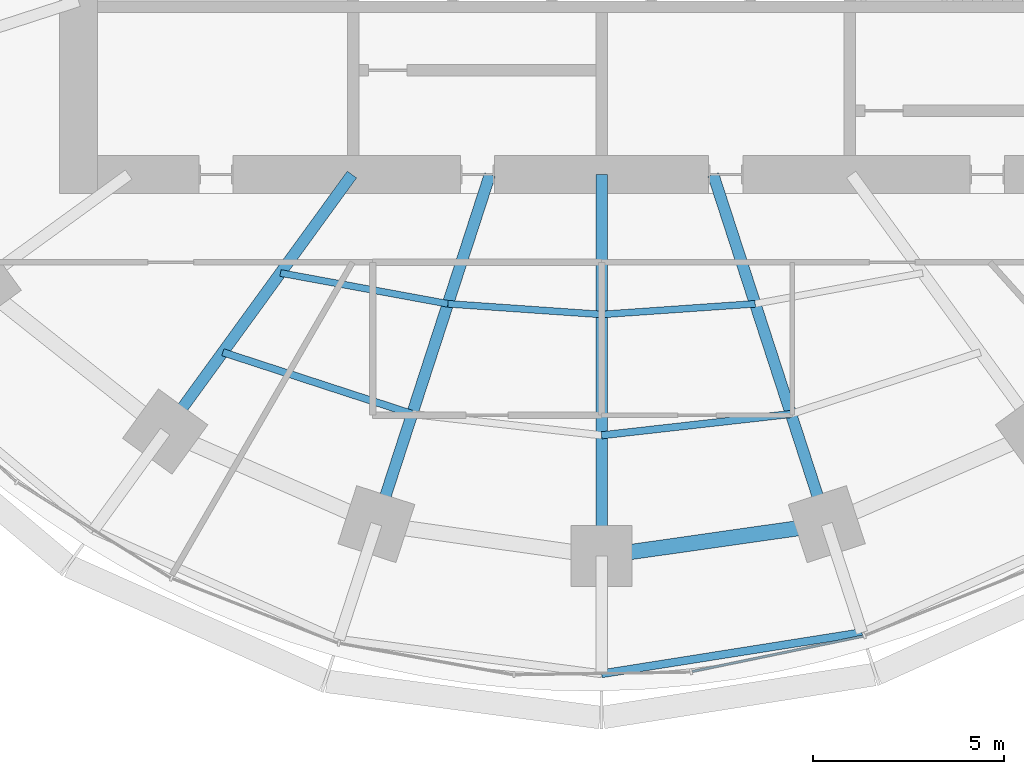
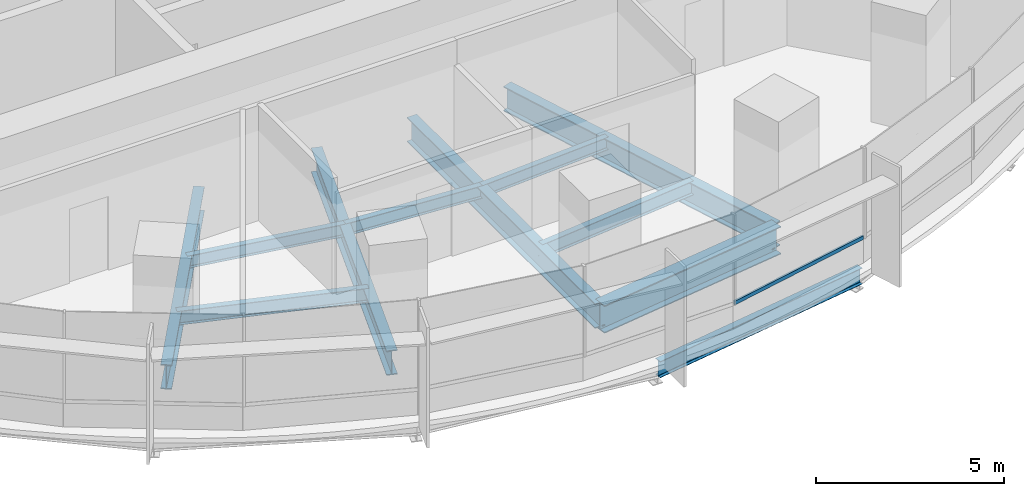
# One storey, part 3 of 14: 11 beams, 1 member, 1 element without a shape of its own.
"""IFC4 building model written with IfcOpenShell, lengths in metres."""

from ifc_helpers import new_model, si_unit, direction, frame, origin, origin_2d, place, context, subcontext, project, spatial, rectangle, i_section, extrude, material, material_profile, profile_set, type_object, element, aggregate, save


model = new_model("IFC4")

# Units and contexts
model_context = context("Model", 3, precision=1e-05, world=origin(), true_north=direction((0.0, 1.0)))
body_context = subcontext(model_context, "Body", "Model", "MODEL_VIEW")
ifc_project = project(units=[si_unit("LENGTHUNIT", "METRE"), si_unit("AREAUNIT", "SQUARE_METRE"), si_unit("VOLUMEUNIT", "CUBIC_METRE"), si_unit("PLANEANGLEUNIT", "RADIAN"), si_unit("MASSUNIT", "GRAM", prefix="KILO")], contexts=[model_context])

# Site, building, storey
site_placement = place(None, origin())
site = spatial("IfcSite", under=ifc_project, at=site_placement, CompositionType="ELEMENT")
building_placement = place(site_placement, origin())
building = spatial("IfcBuilding", under=site, at=building_placement, Name="Marramba Exchange Tower", CompositionType="ELEMENT")
storey_placement = place(building_placement, frame((0.0, 0.0, 119.699951171875)))
storey = spatial("IfcBuildingStorey", under=building, at=storey_placement, Name="L28", CompositionType="ELEMENT", Elevation=119.699951171875)

# Beams
ifc_material_1 = material(Name="Steel AS/NZS 3679.1 grade 300", Category="steel")
ifc_material_profile_1 = material_profile(ifc_material_1, i_section(OverallWidth=0.177978515625, OverallDepth=0.406005859375, WebThickness=0.0078125, FlangeThickness=0.0126953125, FilletRadius=0.011474609375, at=origin_2d()), Name="410UB59.7")
ifc_profile_set_1 = profile_set([ifc_material_profile_1], Name="Steel AS/NZS 3679.1 grade 300")
beam_type_1 = type_object("IfcBeamType", Name="Floor joist 410UB59.7", PredefinedType="JOIST", material=ifc_profile_set_1)
beam_1_placement = place(storey_placement, frame((-8.41162109375, -11.57763671875, -0.363037109375), z_axis=(0.983455754421, -0.181148500119, 0.0), x_axis=(0.181148500119, 0.983455754421, 0.0)))
element("IfcBeam", 1, at=beam_1_placement, inside=storey, type_object=beam_type_1, Name="Joist L28 bay 14 row 1", PredefinedType="JOIST", context=body_context, shape_type="SweptSolid", body=[
    extrude(i_section(OverallWidth=0.177978515625, OverallDepth=0.406005859375, WebThickness=0.0078125, FlangeThickness=0.0126953125, FilletRadius=0.011474609375, at=origin_2d()), origin(), (0.0, 0.0, 1.0), 4.4609375),
])
for number, where, z_axis, x_axis, name in (
    (2, (-4.0244140625, -12.3857421875, -0.363037109375), (0.99759625901, -0.069294328838, 0.0), (0.069294328838, 0.99759625901, 0.0), "Joist L28 bay 15 row 1"),
    (3, (0.0, -12.665283203125, -0.363037109375), (0.99759625901, 0.069294328838, 0.0), (-0.069294328838, 0.99759625901, 0.0), "Joist L28 bay 16 row 1"),
):
    element("IfcBeam", number, at=place(storey_placement, frame(where, z_axis=z_axis, x_axis=x_axis)), inside=storey, type_object=beam_type_1, Name=name, PredefinedType="JOIST", context=body_context, shape_type="SweptSolid", body=[
        extrude(i_section(OverallWidth=0.177978515625, OverallDepth=0.406005859375, WebThickness=0.0078125, FlangeThickness=0.0126953125, FilletRadius=0.011474609375, at=origin_2d()), origin(), (0.0, 0.0, 1.0), 4.0341796875),
    ])
ifc_material_profile_2 = material_profile(ifc_material_1, i_section(OverallWidth=0.18994140625, OverallDepth=0.4541015625, WebThickness=0.008544921875, FlangeThickness=0.0126953125, FilletRadius=0.011474609375, at=origin_2d()), Name="460UB67.1")
ifc_profile_set_2 = profile_set([ifc_material_profile_2], Name="Steel AS/NZS 3679.1 grade 300")
beam_type_2 = type_object("IfcBeamType", Name="Floor joist 460UB67.1", PredefinedType="JOIST", material=ifc_profile_set_2)
beam_2_placement = place(storey_placement, frame((-9.9208984375, -13.655029296875, -0.386962890625), z_axis=(0.950764024931, -0.309915744834, 0.0), x_axis=(0.309915744834, 0.950764024931, 0.0)))
element("IfcBeam", 4, at=beam_2_placement, inside=storey, type_object=beam_type_2, Name="Joist L28 bay 14 row 2", PredefinedType="JOIST", context=body_context, shape_type="SweptSolid", body=[
    extrude(i_section(OverallWidth=0.18994140625, OverallDepth=0.4541015625, WebThickness=0.008544921875, FlangeThickness=0.0126953125, FilletRadius=0.011474609375, at=origin_2d()), origin(), (0.0, 0.0, 1.0), 5.2158203125),
])
beam_3_placement = place(storey_placement, frame((0.0, -15.83056640625, -0.386962890625), z_axis=(0.993712018573, 0.111966174106, 0.0), x_axis=(-0.111966174106, 0.993712018573, 0.0)))
element("IfcBeam", 5, at=beam_3_placement, inside=storey, type_object=beam_type_2, Name="Joist L28 bay 16 row 2", PredefinedType="JOIST", context=body_context, shape_type="SweptSolid", body=[
    extrude(i_section(OverallWidth=0.18994140625, OverallDepth=0.4541015625, WebThickness=0.008544921875, FlangeThickness=0.0126953125, FilletRadius=0.011474609375, at=origin_2d()), origin(), (0.0, 0.0, 1.0), 4.993408203125),
])

# Curtain wall, member
ifc_material_2 = material(Name="Aluminium framing, bronze anodised", Category="aluminium")
curtain_wall_type = type_object("IfcCurtainWallType", Name="Office ribbon curtain wall", PredefinedType="USERDEFINED", material=ifc_material_2)
curtain_wall_placement = place(storey_placement, origin())
curtain_wall = element("IfcCurtainWall", 6, at=curtain_wall_placement, inside=storey, type_object=curtain_wall_type, Name="Curtain wall CW4 L28 F21-F25", ObjectType="RIBBON CURTAIN WALL", PredefinedType="USERDEFINED")
ifc_material_3 = material(Name="Aluminium transom, bronze anodised", Category="aluminium")
ifc_material_profile_3 = material_profile(ifc_material_3, rectangle(XDim=0.06005859375, YDim=0.1201171875, at=origin_2d()), Name="CW4 transom 60x120")
ifc_profile_set_3 = profile_set([ifc_material_profile_3], Name="Aluminium transom, bronze anodised")
member_type = type_object("IfcMemberType", Name="Office ribbon curtain wall transom", PredefinedType="USERDEFINED", material=ifc_profile_set_3)
member_placement = place(storey_placement, frame((2.374267578125, -22.017822265625, 0.830078125), z_axis=(0.979310422034, 0.202363774661, 0.0), x_axis=(-0.202363774661, 0.979310422034, 0.0)))
member = element("IfcMember", 7, at=member_placement, type_object=member_type, Name="CW4 sill transom", ObjectType="TRANSOM", PredefinedType="USERDEFINED", context=body_context, shape_type="SweptSolid", body=[
    extrude(rectangle(XDim=0.06005859375, YDim=0.1201171875, at=origin_2d()), origin(), (0.0, 0.0, 1.0), 4.57373046875),
])
aggregate(curtain_wall, [member])

# Beams
ifc_material_4 = material(Name="Steel AS/NZS 3679.2 grade 300", Category="steel")
ifc_material_profile_4 = material_profile(ifc_material_4, i_section(OverallWidth=0.300048828125, OverallDepth=0.800048828125, WebThickness=0.013916015625, FlangeThickness=0.031982421875, at=origin_2d()), Name="800WB192")
ifc_profile_set_4 = profile_set([ifc_material_profile_4], Name="Steel AS/NZS 3679.2 grade 300")
beam_type_3 = type_object("IfcBeamType", Name="Radial girder 800WB192", PredefinedType="BEAM", material=ifc_profile_set_4)
beam_4_placement = place(storey_placement, frame((-6.538818359375, -9.0, -0.56005859375), z_axis=(-0.587787877172, -0.809015087282, 0.0), x_axis=(0.809015087282, -0.587787877172, 0.0)))
element("IfcBeam", 8, at=beam_4_placement, inside=storey, type_object=beam_type_3, Name="Radial girder L28 TC14", PredefinedType="BEAM", context=body_context, shape_type="SweptSolid", body=[
    extrude(i_section(OverallWidth=0.300048828125, OverallDepth=0.800048828125, WebThickness=0.013916015625, FlangeThickness=0.031982421875, at=origin_2d()), origin(), (0.0, 0.0, 1.0), 8.322021484375),
])
beam_5_placement = place(storey_placement, frame((-2.92431640625, -9.0, -0.56005859375), z_axis=(-0.309022428985, -0.951054750466, 0.0), x_axis=(0.951054750466, -0.309022428985, 0.0)))
element("IfcBeam", 9, at=beam_5_placement, inside=storey, type_object=beam_type_3, Name="Radial girder L28 TC15", PredefinedType="BEAM", context=body_context, shape_type="SweptSolid", body=[
    extrude(i_section(OverallWidth=0.300048828125, OverallDepth=0.800048828125, WebThickness=0.013916015625, FlangeThickness=0.031982421875, at=origin_2d()), origin(), (0.0, 0.0, 1.0), 9.628173828125),
])
beam_6_placement = place(storey_placement, frame((0.0, -9.0, -0.56005859375), z_axis=(0.0, -1.0, 0.0), x_axis=(1.0, 0.0, 0.0)))
element("IfcBeam", 10, at=beam_6_placement, inside=storey, type_object=beam_type_3, Name="Radial girder L28 TC16", PredefinedType="BEAM", context=body_context, shape_type="SweptSolid", body=[
    extrude(i_section(OverallWidth=0.300048828125, OverallDepth=0.800048828125, WebThickness=0.013916015625, FlangeThickness=0.031982421875, at=origin_2d()), origin(), (0.0, 0.0, 1.0), 9.99609375),
])
beam_7_placement = place(storey_placement, frame((2.92431640625, -9.0, -0.56005859375), z_axis=(0.309022428985, -0.951054750466, 0.0), x_axis=(0.951054750466, 0.309022428985, 0.0)))
element("IfcBeam", 11, at=beam_7_placement, inside=storey, type_object=beam_type_3, Name="Radial girder L28 TC17", PredefinedType="BEAM", context=body_context, shape_type="SweptSolid", body=[
    extrude(i_section(OverallWidth=0.300048828125, OverallDepth=0.800048828125, WebThickness=0.013916015625, FlangeThickness=0.031982421875, at=origin_2d()), origin(), (0.0, 0.0, 1.0), 9.628173828125),
])
ifc_material_profile_5 = material_profile(ifc_material_4, i_section(OverallWidth=0.39990234375, OverallDepth=0.89990234375, WebThickness=0.01611328125, FlangeThickness=0.031982421875, at=origin_2d()), Name="900WB282")
ifc_profile_set_5 = profile_set([ifc_material_profile_5], Name="Steel AS/NZS 3679.2 grade 300")
beam_type_4 = type_object("IfcBeamType", Name="Ring beam 900WB282", PredefinedType="SPANDREL", material=ifc_profile_set_5)
beam_8_placement = place(storey_placement, frame((0.0, -18.99609375, -0.60986328125), z_axis=(0.990036163016, 0.140813337152, 0.0), x_axis=(-0.140813337152, 0.990036163016, 0.0)))
element("IfcBeam", 12, at=beam_8_placement, inside=storey, type_object=beam_type_4, Name="Ring beam L28 TC16-TC17", PredefinedType="SPANDREL", context=body_context, shape_type="SweptSolid", body=[
    extrude(i_section(OverallWidth=0.39990234375, OverallDepth=0.89990234375, WebThickness=0.01611328125, FlangeThickness=0.031982421875, at=origin_2d()), origin(), (0.0, 0.0, 1.0), 5.958984375),
])
ifc_material_profile_6 = material_profile(ifc_material_1, i_section(OverallWidth=0.208984375, OverallDepth=0.528076171875, WebThickness=0.009521484375, FlangeThickness=0.01318359375, FilletRadius=0.013916015625, at=origin_2d()), Name="530UB82.0")
ifc_profile_set_6 = profile_set([ifc_material_profile_6], Name="Steel AS/NZS 3679.1 grade 300")
beam_type_5 = type_object("IfcBeamType", Name="Slab edge beam 530UB82.0", PredefinedType="SPANDREL", material=ifc_profile_set_6)
beam_9_placement = place(storey_placement, frame((0.0, -22.076904296875, -0.424072265625), z_axis=(0.987705008555, 0.15632919137, 0.0), x_axis=(-0.15632919137, 0.987705008555, 0.0)))
element("IfcBeam", 13, at=beam_9_placement, inside=storey, type_object=beam_type_5, Name="Slab edge beam L28 TC16-TC17", PredefinedType="SPANDREL", context=body_context, shape_type="SweptSolid", body=[
    extrude(i_section(OverallWidth=0.208984375, OverallDepth=0.528076171875, WebThickness=0.009521484375, FlangeThickness=0.01318359375, FilletRadius=0.013916015625, at=origin_2d()), origin(), (0.0, 0.0, 1.0), 6.907470703125),
])

save(model, "model.ifc")
